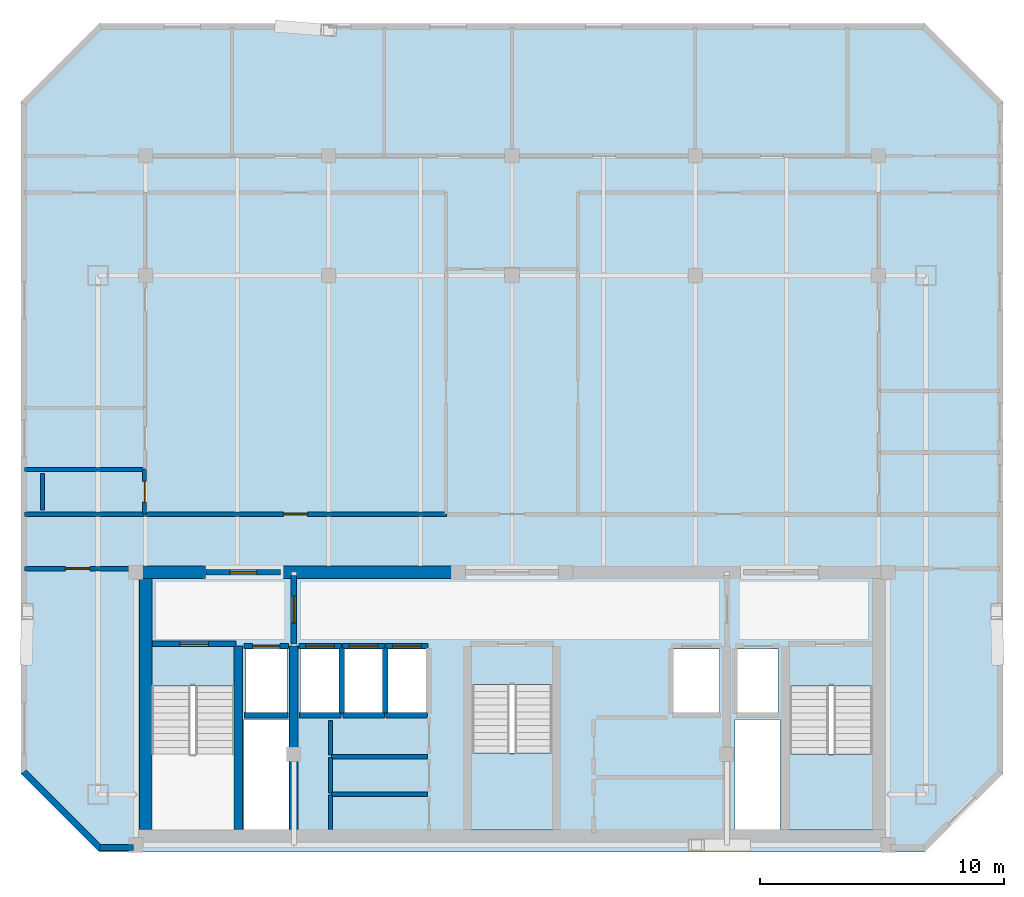
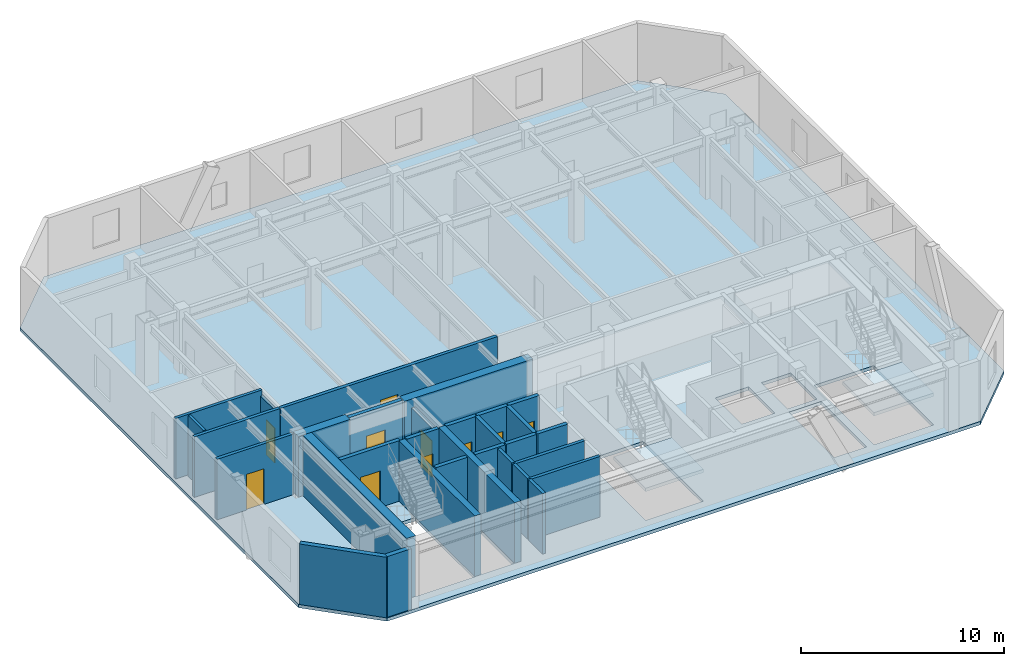
# One storey, part 2 of 6: 31 walls, 10 doors, 3 slabs, 10 openings, 2 elements without a shape of their own.
"""IFC4 building model written with IfcOpenShell, lengths in metres."""

from ifc_helpers import new_model, si_unit, direction, frame, frame_2d, origin, place, context, subcontext, project, spatial, polyline, rectangle, outline, extrude, material, layer, layer_set, type_object, element, fill, aggregate, save


model = new_model("IFC4")

# Units and contexts
model_context = context("Model", 3, precision=1e-05, world=origin(), true_north=direction((0.0, 1.0)))
body_context = subcontext(model_context, "Body", "Model", "MODEL_VIEW")
ifc_project = project(units=[si_unit("LENGTHUNIT", "METRE"), si_unit("AREAUNIT", "SQUARE_METRE"), si_unit("VOLUMEUNIT", "CUBIC_METRE"), si_unit("PLANEANGLEUNIT", "RADIAN"), si_unit("MASSUNIT", "GRAM", prefix="KILO")], contexts=[model_context])

# Site, building, storey
site_placement = place(None, origin())
site = spatial("IfcSite", under=ifc_project, at=site_placement, CompositionType="ELEMENT")
building_placement = place(site_placement, origin())
building = spatial("IfcBuilding", under=site, at=building_placement, Name="Ventersveld Concourse Tower", CompositionType="ELEMENT")
storey_placement = place(building_placement, frame((0.0, 0.0, 296.449951171875)))
storey = spatial("IfcBuildingStorey", under=building, at=storey_placement, Name="L73", CompositionType="ELEMENT", Elevation=296.449951171875)

# Slab
ifc_material_1 = material(Name="Concrete C50/60", Category="concrete")
ifc_layer_1 = layer(ifc_material_1, 0.199951171875)
ifc_layer_set_1 = layer_set([ifc_layer_1], Name="Concrete C50/60")
slab_type_1 = type_object("IfcSlabType", Name="SL-FLR-200", PredefinedType="FLOOR", material=ifc_layer_set_1)
slab_1_placement = place(storey_placement, frame((0.0, 0.0, -0.199951171875)))
element("IfcSlab", 1, at=slab_1_placement, inside=storey, type_object=slab_type_1, Name="L73 Composite Floor Slab", PredefinedType="FLOOR", context=body_context, shape_type="SweptSolid", body=[
    extrude(outline(polyline([(11.83740234375, 0.0), (45.66259765625, 0.0), (48.862548828125, 3.199951171875), (48.862548828125, 30.7099609375), (45.66259765625, 33.909912109375), (11.83740234375, 33.909912109375), (8.637451171875, 30.7099609375), (8.637451171875, 3.199951171875), (11.83740234375, 0.0)]), holes=[polyline([(13.97998046875, 6.794921875), (13.97998046875, 0.89990234375), (17.3798828125, 0.89990234375), (17.3798828125, 6.794921875), (13.97998046875, 6.794921875)]), polyline([(40.1201171875, 6.794921875), (40.1201171875, 0.89990234375), (43.52001953125, 0.89990234375), (43.52001953125, 6.794921875), (40.1201171875, 6.794921875)]), polyline([(27.10009765625, 6.844970703125), (27.10009765625, 0.89990234375), (30.39990234375, 0.89990234375), (30.39990234375, 6.844970703125), (27.10009765625, 6.844970703125)]), polyline([(17.85009765625, 5.699951171875), (19.530029296875, 5.699951171875), (19.530029296875, 8.300048828125), (17.85009765625, 8.300048828125), (17.85009765625, 5.699951171875)]), polyline([(37.969970703125, 5.699951171875), (39.64990234375, 5.699951171875), (39.64990234375, 8.300048828125), (37.969970703125, 8.300048828125), (37.969970703125, 5.699951171875)]), polyline([(35.35009765625, 5.699951171875), (37.25, 5.699951171875), (37.25, 8.300048828125), (35.35009765625, 8.300048828125), (35.35009765625, 5.699951171875)]), polyline([(20.090087890625, 5.699951171875), (21.68994140625, 5.699951171875), (21.68994140625, 8.300048828125), (20.090087890625, 8.300048828125), (20.090087890625, 5.699951171875)]), polyline([(21.8701171875, 5.699951171875), (23.469970703125, 5.699951171875), (23.469970703125, 8.300048828125), (21.8701171875, 8.300048828125), (21.8701171875, 5.699951171875)]), polyline([(23.64990234375, 5.699951171875), (25.25, 5.699951171875), (25.25, 8.300048828125), (23.64990234375, 8.300048828125), (23.64990234375, 5.699951171875)]), polyline([(17.780029296875, 0.919921875), (19.6201171875, 0.919921875), (19.6201171875, 5.419921875), (17.780029296875, 5.419921875), (17.780029296875, 0.919921875)]), polyline([(37.8798828125, 0.919921875), (39.719970703125, 0.919921875), (39.719970703125, 5.419921875), (37.8798828125, 5.419921875), (37.8798828125, 0.919921875)])]), origin(), (0.0, 0.0, 1.0), 0.199951171875),
])

# Stair, slab
stair_type_1 = type_object("IfcStairType", Name="ST-DOG-160", PredefinedType="HALF_TURN_STAIR", material=ifc_material_1)
stair_1_placement = place(storey_placement, origin())
stair_1 = element("IfcStair", 2, at=stair_1_placement, inside=storey, type_object=stair_type_1, Name="L73 Protected Tower Escape Stair ST-02", PredefinedType="HALF_TURN_STAIR")
ifc_layer_2 = layer(ifc_material_1, 0.199951171875)
ifc_layer_set_2 = layer_set([ifc_layer_2], Name="Concrete C50/60")
slab_type_2 = type_object("IfcSlabType", Name="SL-LND-200", PredefinedType="LANDING", material=ifc_layer_set_2)
slab_2_placement = place(storey_placement, frame((0.0, 0.0, 1.72509765625)))
slab_2 = element("IfcSlab", 3, at=slab_2_placement, type_object=slab_type_2, Name="ST-02 landing 1", PredefinedType="LANDING", context=body_context, shape_type="SweptSolid", body=[
    extrude(outline(polyline([(40.1201171875, 4.0), (40.1201171875, 0.89990234375), (43.52001953125, 0.89990234375), (43.52001953125, 4.0), (40.1201171875, 4.0)])), origin(), (0.0, 0.0, 1.0), 0.199951171875),
])
aggregate(stair_1, [slab_2])

stair_type_2 = type_object("IfcStairType", Name="ST-DOG-155", PredefinedType="HALF_TURN_STAIR", material=ifc_material_1)
stair_2_placement = place(storey_placement, origin())
stair_2 = element("IfcStair", 4, at=stair_2_placement, inside=storey, type_object=stair_type_2, Name="L73 Protected Central Core Escape Stair ST-03", PredefinedType="HALF_TURN_STAIR")
slab_3_placement = place(storey_placement, frame((0.0, 0.0, 1.72509765625)))
slab_3 = element("IfcSlab", 5, at=slab_3_placement, type_object=slab_type_2, Name="ST-03 landing 1", PredefinedType="LANDING", context=body_context, shape_type="SweptSolid", body=[
    extrude(outline(polyline([(27.10009765625, 4.050048828125), (27.10009765625, 0.89990234375), (30.39990234375, 0.89990234375), (30.39990234375, 4.050048828125), (27.10009765625, 4.050048828125)])), origin(), (0.0, 0.0, 1.0), 0.199951171875),
])
aggregate(stair_2, [slab_3])

# Walls
ifc_layer_3 = layer(ifc_material_1, 0.35009765625)
ifc_layer_set_3 = layer_set([ifc_layer_3], Name="Concrete C50/60")
wall_type_1 = type_object("IfcWallType", Name="WL-CORE-350U", PredefinedType="SHEAR", material=ifc_layer_set_3)
for number, where, z_axis, x_axis, name in (
    (6, (17.5400390625, 0.919921875, 0.0), (0.0, 0.0, 1.0), (0.0, 1.0, 0.0), "L73 Core Internal Shear Web W-ST1-E"),
    (7, (19.820068359375, 0.919921875, 0.0), (0.0, 0.0, 1.0), (0.0, 1.0, 0.0), "L73 Core Internal Shear Web W-FF1-E"),
):
    element("IfcWall", number, at=place(storey_placement, frame(where, z_axis=z_axis, x_axis=x_axis)), inside=storey, type_object=wall_type_1, Name=name, PredefinedType="SHEAR", context=body_context, shape_type="SweptSolid", body=[
        extrude(rectangle(XDim=7.5, YDim=0.35009765625, at=frame_2d((3.75, 0.0))), origin(), (0.0, 0.0, 1.0), 3.650146484375),
    ])
ifc_layer_4 = layer(ifc_material_1, 0.5)
ifc_layer_set_4 = layer_set([ifc_layer_4], Name="Concrete C50/60")
wall_type_2 = type_object("IfcWallType", Name="WL-CORE-500", PredefinedType="SHEAR", material=ifc_layer_set_4)
wall_1_placement = place(storey_placement, frame((13.75, 0.919921875, 0.0), z_axis=(0.0, 0.0, 1.0), x_axis=(0.0, 1.0, 0.0)))
element("IfcWall", 8, at=wall_1_placement, inside=storey, type_object=wall_type_2, Name="L73 Rear Core West Shear Wall", PredefinedType="SHEAR", context=body_context, shape_type="SweptSolid", body=[
    extrude(rectangle(XDim=10.530029296875, YDim=0.5, at=frame_2d((5.26513671875, 0.0))), origin(), (0.0, 0.0, 1.0), 3.650146484375),
])
wall_2_placement = place(storey_placement, frame((13.25, 11.449951171875, 0.0), z_axis=(0.0, 0.0, 1.0), x_axis=(1.0, 0.0, 0.0)))
element("IfcWall", 9, at=wall_2_placement, inside=storey, type_object=wall_type_2, Name="L73 Rear Core North Shear Wall NW", PredefinedType="SHEAR", context=body_context, shape_type="SweptSolid", body=[
    extrude(rectangle(XDim=2.949951171875, YDim=0.5, at=frame_2d((1.47509765625, 0.0))), origin(), (0.0, 0.0, 1.0), 3.650146484375),
])
wall_3_placement = place(storey_placement, frame((19.300048828125, 11.449951171875, 0.0), z_axis=(0.0, 0.0, 1.0), x_axis=(1.0, 0.0, 0.0)))
element("IfcWall", 10, at=wall_3_placement, inside=storey, type_object=wall_type_2, Name="L73 Rear Core North Shear Wall NML", PredefinedType="SHEAR", context=body_context, shape_type="SweptSolid", body=[
    extrude(rectangle(XDim=7.300048828125, YDim=0.5, at=frame_2d((3.64990234375, 0.0))), origin(), (0.0, 0.0, 1.0), 3.650146484375),
])
ifc_material_2 = material(Name="Fire-rated autoclaved aerated masonry blockwork", Category="masonry")
ifc_layer_5 = layer(ifc_material_2, 0.179931640625)
ifc_layer_set_5 = layer_set([ifc_layer_5], Name="Fire-rated autoclaved aerated masonry blockwork")
wall_type_3 = type_object("IfcWallType", Name="WL-CORR-180", PredefinedType="PARTITIONING", material=ifc_layer_set_5)
wall_4_placement = place(storey_placement, frame((21.360107421875, 2.360107421875, 0.0), z_axis=(0.0, 0.0, 1.0), x_axis=(1.0, 0.0, 0.0)))
element("IfcWall", 11, at=wall_4_placement, inside=storey, type_object=wall_type_3, Name="L73 Core Top Wall SP-L73-RECB1S", PredefinedType="PARTITIONING", context=body_context, shape_type="SweptSolid", body=[
    extrude(rectangle(XDim=3.93994140625, YDim=0.179931640625, at=frame_2d((1.969970703125, 0.0))), origin(), (0.0, 0.0, 1.0), 3.650146484375),
])
wall_5_placement = place(storey_placement, frame((21.320068359375, 0.909912109375, 0.0), z_axis=(0.0, 0.0, 1.0), x_axis=(0.0, 1.0, 0.0)))
element("IfcWall", 12, at=wall_5_placement, inside=storey, type_object=wall_type_3, Name="L73 Core West Wall SP-L73-RECB1S", PredefinedType="PARTITIONING", context=body_context, shape_type="SweptSolid", body=[
    extrude(rectangle(XDim=1.41015625, YDim=0.179931640625, at=frame_2d((0.705078125, 0.0))), origin(), (0.0, 0.0, 1.0), 3.650146484375),
])
wall_6_placement = place(storey_placement, frame((21.360107421875, 3.89990234375, 0.0), z_axis=(0.0, 0.0, 1.0), x_axis=(1.0, 0.0, 0.0)))
element("IfcWall", 13, at=wall_6_placement, inside=storey, type_object=wall_type_3, Name="L73 Core Top Wall SP-L73-RECB1M", PredefinedType="PARTITIONING", context=body_context, shape_type="SweptSolid", body=[
    extrude(rectangle(XDim=3.93994140625, YDim=0.179931640625, at=frame_2d((1.969970703125, 0.0))), origin(), (0.0, 0.0, 1.0), 3.650146484375),
])
wall_7_placement = place(storey_placement, frame((21.320068359375, 2.419921875, 0.0), z_axis=(0.0, 0.0, 1.0), x_axis=(0.0, 1.0, 0.0)))
element("IfcWall", 14, at=wall_7_placement, inside=storey, type_object=wall_type_3, Name="L73 Core West Wall SP-L73-RECB1M", PredefinedType="PARTITIONING", context=body_context, shape_type="SweptSolid", body=[
    extrude(rectangle(XDim=1.440185546875, YDim=0.179931640625, at=frame_2d((0.72021484375, 0.0))), origin(), (0.0, 0.0, 1.0), 3.650146484375),
])
wall_8_placement = place(storey_placement, frame((21.320068359375, 3.9599609375, 0.0), z_axis=(0.0, 0.0, 1.0), x_axis=(0.0, 1.0, 0.0)))
element("IfcWall", 15, at=wall_8_placement, inside=storey, type_object=wall_type_3, Name="L73 Core West Wall SP-L73-RECB1N", PredefinedType="PARTITIONING", context=body_context, shape_type="SweptSolid", body=[
    extrude(rectangle(XDim=1.419921875, YDim=0.179931640625, at=frame_2d((0.7099609375, 0.0))), origin(), (0.0, 0.0, 1.0), 3.650146484375),
])

# Wall, opening, door
wall_9_placement = place(storey_placement, frame((8.787109375, 11.60009765625, 0.0), z_axis=(0.0, 0.0, 1.0), x_axis=(1.0, 0.0, 0.0)))
wall_9 = element("IfcWall", 16, at=wall_9_placement, inside=storey, type_object=wall_type_3, Name="L73 Interior Partition SP-L73-SW-GAL-SP-L73-COR", PredefinedType="PARTITIONING", context=body_context, shape_type="SweptSolid", body=[
    extrude(rectangle(XDim=4.35791015625, YDim=0.179931640625, at=frame_2d((2.178955078125, 0.0))), origin(), (0.0, 0.0, 1.0), 3.650146484375),
])
opening_1_placement = place(wall_9_placement, frame((1.678955078125, 0.0, 0.0)))
opening_1 = element("IfcOpeningElement", 17, at=opening_1_placement, cuts=wall_9, Name="Opening FD3", PredefinedType="OPENING", context=body_context, shape_type="SweptSolid", body=[
    extrude(rectangle(XDim=1.0, YDim=2.14990234375, at=frame_2d((0.5, 1.074951171875))), frame((0.0, 0.10009765625, 0.0), z_axis=(0.0, -1.0, 0.0), x_axis=(1.0, 0.0, 0.0)), (0.0, 0.0, 1.0), 0.199951171875),
])
ifc_material_3 = material(Name="Solid-core hardwood veneer timber", Category="wood")
door_type_1 = type_object("IfcDoorType", Name="DR-FLAT-100", OperationType="NOTDEFINED", PredefinedType="DOOR", material=ifc_material_3)
door_1_placement = place(opening_1_placement, origin())
door_1 = element("IfcDoor", 18, at=door_1_placement, inside=storey, type_object=door_type_1, Name="L73 Interior Door SP-L73-SW-GAL to SP-L73-COR (D-L73-3380)", OperationType="SINGLE_SWING_RIGHT", OverallHeight=2.14990234375, OverallWidth=1.0, PredefinedType="DOOR", context=body_context, shape_type="SweptSolid", body=[
    extrude(rectangle(XDim=1.0, YDim=2.14990234375, at=frame_2d((0.5, 1.074951171875))), frame((0.0, 0.02490234375, 0.0), z_axis=(0.0, -1.0, 0.0), x_axis=(1.0, 0.0, 0.0)), (0.0, 0.0, 1.0), 0.050048828125),
])
fill(opening_1, door_1)

wall_10_placement = place(storey_placement, frame((13.702392578125, 13.830078125, 0.0), z_axis=(0.0, 0.0, 1.0), x_axis=(1.0, 0.0, 0.0)))
wall_10 = element("IfcWall", 19, at=wall_10_placement, inside=storey, type_object=wall_type_3, Name="L73 Interior Partition SP-L73-COR-SP-L73-73N1-WGAL1", PredefinedType="PARTITIONING", context=body_context, shape_type="SweptSolid", body=[
    extrude(rectangle(XDim=12.362548828125, YDim=0.179931640625, at=frame_2d((6.18115234375, 0.0))), origin(), (0.0, 0.0, 1.0), 3.650146484375),
])
opening_2_placement = place(wall_10_placement, frame((5.681396484375, 0.0, 0.0)))
opening_2 = element("IfcOpeningElement", 20, at=opening_2_placement, cuts=wall_10, Name="Opening FD3", PredefinedType="OPENING", context=body_context, shape_type="SweptSolid", body=[
    extrude(rectangle(XDim=1.0, YDim=2.14990234375, at=frame_2d((0.5, 1.074951171875))), frame((0.0, 0.10009765625, 0.0), z_axis=(0.0, -1.0, 0.0), x_axis=(1.0, 0.0, 0.0)), (0.0, 0.0, 1.0), 0.199951171875),
])
door_2_placement = place(opening_2_placement, origin())
door_2 = element("IfcDoor", 21, at=door_2_placement, inside=storey, type_object=door_type_1, Name="L73 Interior Door SP-L73-COR to SP-L73-73N1-WGAL1 (FD-L73-3382)", OperationType="SINGLE_SWING_RIGHT", OverallHeight=2.14990234375, OverallWidth=1.0, PredefinedType="DOOR", context=body_context, shape_type="SweptSolid", body=[
    extrude(rectangle(XDim=1.0, YDim=2.14990234375, at=frame_2d((0.5, 1.074951171875))), frame((0.0, 0.02490234375, 0.0), z_axis=(0.0, -1.0, 0.0), x_axis=(1.0, 0.0, 0.0)), (0.0, 0.0, 1.0), 0.050048828125),
])
fill(opening_2, door_2)

# Walls
wall_11_placement = place(storey_placement, frame((8.787109375, 13.830078125, 0.0), z_axis=(0.0, 0.0, 1.0), x_axis=(1.0, 0.0, 0.0)))
element("IfcWall", 22, at=wall_11_placement, inside=storey, type_object=wall_type_3, Name="L73 Interior Partition SP-L73-COR-SP-L73-73N1-BATH", PredefinedType="PARTITIONING", context=body_context, shape_type="SweptSolid", body=[
    extrude(rectangle(XDim=4.885498046875, YDim=0.179931640625, at=frame_2d((2.44287109375, 0.0))), origin(), (0.0, 0.0, 1.0), 3.650146484375),
])
ifc_layer_6 = layer(ifc_material_2, 0.219970703125)
ifc_layer_set_6 = layer_set([ifc_layer_6], Name="Fire-rated autoclaved aerated masonry blockwork")
wall_type_4 = type_object("IfcWallType", Name="WL-HOIST-220", PredefinedType="SOLIDWALL", material=ifc_layer_set_6)
wall_12_placement = place(storey_placement, frame((17.800048828125, 5.590087890625, 0.0), z_axis=(0.0, 0.0, 1.0), x_axis=(1.0, 0.0, 0.0)))
element("IfcWall", 23, at=wall_12_placement, inside=storey, type_object=wall_type_4, Name="L73 Lift Hoistway Back Wall FFL-01", PredefinedType="SOLIDWALL", context=body_context, shape_type="SweptSolid", body=[
    extrude(rectangle(XDim=1.780029296875, YDim=0.219970703125, at=frame_2d((0.89013671875, 0.0))), origin(), (0.0, 0.0, 1.0), 3.650146484375),
])

# Wall, opening, door
wall_13_placement = place(storey_placement, frame((17.780029296875, 8.429931640625, 0.0), z_axis=(0.0, 0.0, 1.0), x_axis=(1.0, 0.0, 0.0)))
wall_13 = element("IfcWall", 24, at=wall_13_placement, inside=storey, type_object=wall_type_4, Name="L73 Lift Hoistway Front Wall FFL-01", PredefinedType="SOLIDWALL", context=body_context, shape_type="SweptSolid", body=[
    extrude(rectangle(XDim=1.820068359375, YDim=0.219970703125, at=frame_2d((0.91015625, 0.0))), origin(), (0.0, 0.0, 1.0), 3.650146484375),
])
opening_3_placement = place(wall_13_placement, frame((0.35009765625, 0.0, 0.0)))
opening_3 = element("IfcOpeningElement", 25, at=opening_3_placement, cuts=wall_13, Name="Opening LD1", PredefinedType="OPENING", context=body_context, shape_type="SweptSolid", body=[
    extrude(rectangle(XDim=1.1201171875, YDim=2.25, at=frame_2d((0.56005859375, 1.125))), frame((0.0, 0.1201171875, 0.0), z_axis=(0.0, -1.0, 0.0), x_axis=(1.0, 0.0, 0.0)), (0.0, 0.0, 1.0), 0.239990234375),
])
ifc_material_4 = material(Name="Brushed stainless steel 316", Category="steel")
door_type_2 = type_object("IfcDoorType", Name="LD-FF-112", OperationType="SLIDING_TO_LEFT", PredefinedType="DOOR", material=ifc_material_4)
door_3_placement = place(opening_3_placement, origin())
door_3 = element("IfcDoor", 26, at=door_3_placement, inside=storey, type_object=door_type_2, Name="L73 Lift landing door FFL-01 (LD-L73-FFL-01)", OperationType="SLIDING_TO_RIGHT", OverallHeight=2.25, OverallWidth=1.1201171875, PredefinedType="DOOR", context=body_context, shape_type="SweptSolid", body=[
    extrude(rectangle(XDim=1.1201171875, YDim=2.25, at=frame_2d((0.56005859375, 1.125))), frame((0.0, 0.02490234375, 0.0), z_axis=(0.0, -1.0, 0.0), x_axis=(1.0, 0.0, 0.0)), (0.0, 0.0, 1.0), 0.050048828125),
])
fill(opening_3, door_3)

# Walls
wall_14_placement = place(storey_placement, frame((20.0400390625, 5.590087890625, 0.0), z_axis=(0.0, 0.0, 1.0), x_axis=(1.0, 0.0, 0.0)))
element("IfcWall", 27, at=wall_14_placement, inside=storey, type_object=wall_type_4, Name="L73 Lift Hoistway Back Wall PH-01", PredefinedType="SOLIDWALL", context=body_context, shape_type="SweptSolid", body=[
    extrude(rectangle(XDim=1.699951171875, YDim=0.219970703125, at=frame_2d((0.85009765625, 0.0))), origin(), (0.0, 0.0, 1.0), 3.650146484375),
])
wall_15_placement = place(storey_placement, frame((21.780029296875, 5.64990234375, 0.0), z_axis=(0.0, 0.0, 1.0), x_axis=(0.0, 1.0, 0.0)))
element("IfcWall", 28, at=wall_15_placement, inside=storey, type_object=wall_type_4, Name="L73 Lift Hoistway Side Wall PH-01E", PredefinedType="SOLIDWALL", context=body_context, shape_type="SweptSolid", body=[
    extrude(rectangle(XDim=2.7001953125, YDim=0.219970703125, at=frame_2d((1.35009765625, 0.0))), origin(), (0.0, 0.0, 1.0), 3.650146484375),
])

# Wall, opening, door
wall_16_placement = place(storey_placement, frame((20.02001953125, 8.429931640625, 0.0), z_axis=(0.0, 0.0, 1.0), x_axis=(1.0, 0.0, 0.0)))
wall_16 = element("IfcWall", 29, at=wall_16_placement, inside=storey, type_object=wall_type_4, Name="L73 Lift Hoistway Front Wall PH-01", PredefinedType="SOLIDWALL", context=body_context, shape_type="SweptSolid", body=[
    extrude(rectangle(XDim=1.739990234375, YDim=0.219970703125, at=frame_2d((0.8701171875, 0.0))), origin(), (0.0, 0.0, 1.0), 3.650146484375),
])
opening_4_placement = place(wall_16_placement, frame((0.280029296875, 0.0, 0.0)))
opening_4 = element("IfcOpeningElement", 30, at=opening_4_placement, cuts=wall_16, Name="Opening LD2", PredefinedType="OPENING", context=body_context, shape_type="SweptSolid", body=[
    extrude(rectangle(XDim=1.179931640625, YDim=2.199951171875, at=frame_2d((0.58984375, 1.10009765625))), frame((0.0, 0.1201171875, 0.0), z_axis=(0.0, -1.0, 0.0), x_axis=(1.0, 0.0, 0.0)), (0.0, 0.0, 1.0), 0.239990234375),
])
door_type_3 = type_object("IfcDoorType", Name="LD-PAX-118", OperationType="SLIDING_TO_LEFT", PredefinedType="DOOR", material=ifc_material_4)
door_4_placement = place(opening_4_placement, origin())
door_4 = element("IfcDoor", 31, at=door_4_placement, inside=storey, type_object=door_type_3, Name="L73 Lift landing door PH-01 (LD-L73-PH-01)", OperationType="SLIDING_TO_LEFT", OverallHeight=2.199951171875, OverallWidth=1.179931640625, PredefinedType="DOOR", context=body_context, shape_type="SweptSolid", body=[
    extrude(rectangle(XDim=1.179931640625, YDim=2.199951171875, at=frame_2d((0.58984375, 1.10009765625))), frame((0.0, 0.02490234375, 0.0), z_axis=(0.0, -1.0, 0.0), x_axis=(1.0, 0.0, 0.0)), (0.0, 0.0, 1.0), 0.050048828125),
])
fill(opening_4, door_4)

# Walls
wall_17_placement = place(storey_placement, frame((21.820068359375, 5.590087890625, 0.0), z_axis=(0.0, 0.0, 1.0), x_axis=(1.0, 0.0, 0.0)))
element("IfcWall", 32, at=wall_17_placement, inside=storey, type_object=wall_type_4, Name="L73 Lift Hoistway Back Wall PH-02", PredefinedType="SOLIDWALL", context=body_context, shape_type="SweptSolid", body=[
    extrude(rectangle(XDim=1.699951171875, YDim=0.219970703125, at=frame_2d((0.85009765625, 0.0))), origin(), (0.0, 0.0, 1.0), 3.650146484375),
])
wall_18_placement = place(storey_placement, frame((23.56005859375, 5.64990234375, 0.0), z_axis=(0.0, 0.0, 1.0), x_axis=(0.0, 1.0, 0.0)))
element("IfcWall", 33, at=wall_18_placement, inside=storey, type_object=wall_type_4, Name="L73 Lift Hoistway Side Wall PH-02E", PredefinedType="SOLIDWALL", context=body_context, shape_type="SweptSolid", body=[
    extrude(rectangle(XDim=2.7001953125, YDim=0.219970703125, at=frame_2d((1.35009765625, 0.0))), origin(), (0.0, 0.0, 1.0), 3.650146484375),
])

# Wall, opening, door
wall_19_placement = place(storey_placement, frame((21.800048828125, 8.429931640625, 0.0), z_axis=(0.0, 0.0, 1.0), x_axis=(1.0, 0.0, 0.0)))
wall_19 = element("IfcWall", 34, at=wall_19_placement, inside=storey, type_object=wall_type_4, Name="L73 Lift Hoistway Front Wall PH-02", PredefinedType="SOLIDWALL", context=body_context, shape_type="SweptSolid", body=[
    extrude(rectangle(XDim=1.739990234375, YDim=0.219970703125, at=frame_2d((0.8701171875, 0.0))), origin(), (0.0, 0.0, 1.0), 3.650146484375),
])
opening_5_placement = place(wall_19_placement, frame((0.280029296875, 0.0, 0.0)))
opening_5 = element("IfcOpeningElement", 35, at=opening_5_placement, cuts=wall_19, Name="Opening LD2", PredefinedType="OPENING", context=body_context, shape_type="SweptSolid", body=[
    extrude(rectangle(XDim=1.179931640625, YDim=2.199951171875, at=frame_2d((0.58984375, 1.10009765625))), frame((0.0, 0.1201171875, 0.0), z_axis=(0.0, -1.0, 0.0), x_axis=(1.0, 0.0, 0.0)), (0.0, 0.0, 1.0), 0.239990234375),
])
door_5_placement = place(opening_5_placement, origin())
door_5 = element("IfcDoor", 36, at=door_5_placement, inside=storey, type_object=door_type_3, Name="L73 Lift landing door PH-02 (LD-L73-PH-02)", OperationType="SLIDING_TO_RIGHT", OverallHeight=2.199951171875, OverallWidth=1.179931640625, PredefinedType="DOOR", context=body_context, shape_type="SweptSolid", body=[
    extrude(rectangle(XDim=1.179931640625, YDim=2.199951171875, at=frame_2d((0.58984375, 1.10009765625))), frame((0.0, 0.02490234375, 0.0), z_axis=(0.0, -1.0, 0.0), x_axis=(1.0, 0.0, 0.0)), (0.0, 0.0, 1.0), 0.050048828125),
])
fill(opening_5, door_5)

# Wall
wall_20_placement = place(storey_placement, frame((23.60009765625, 5.590087890625, 0.0), z_axis=(0.0, 0.0, 1.0), x_axis=(1.0, 0.0, 0.0)))
element("IfcWall", 37, at=wall_20_placement, inside=storey, type_object=wall_type_4, Name="L73 Lift Hoistway Back Wall PH-03", PredefinedType="SOLIDWALL", context=body_context, shape_type="SweptSolid", body=[
    extrude(rectangle(XDim=1.699951171875, YDim=0.219970703125, at=frame_2d((0.85009765625, 0.0))), origin(), (0.0, 0.0, 1.0), 3.650146484375),
])

# Wall, opening, door
wall_21_placement = place(storey_placement, frame((23.580078125, 8.429931640625, 0.0), z_axis=(0.0, 0.0, 1.0), x_axis=(1.0, 0.0, 0.0)))
wall_21 = element("IfcWall", 38, at=wall_21_placement, inside=storey, type_object=wall_type_4, Name="L73 Lift Hoistway Front Wall PH-03", PredefinedType="SOLIDWALL", context=body_context, shape_type="SweptSolid", body=[
    extrude(rectangle(XDim=1.739990234375, YDim=0.219970703125, at=frame_2d((0.8701171875, 0.0))), origin(), (0.0, 0.0, 1.0), 3.650146484375),
])
opening_6_placement = place(wall_21_placement, frame((0.280029296875, 0.0, 0.0)))
opening_6 = element("IfcOpeningElement", 39, at=opening_6_placement, cuts=wall_21, Name="Opening LD2", PredefinedType="OPENING", context=body_context, shape_type="SweptSolid", body=[
    extrude(rectangle(XDim=1.179931640625, YDim=2.199951171875, at=frame_2d((0.58984375, 1.10009765625))), frame((0.0, 0.1201171875, 0.0), z_axis=(0.0, -1.0, 0.0), x_axis=(1.0, 0.0, 0.0)), (0.0, 0.0, 1.0), 0.239990234375),
])
door_6_placement = place(opening_6_placement, origin())
door_6 = element("IfcDoor", 40, at=door_6_placement, inside=storey, type_object=door_type_3, Name="L73 Lift landing door PH-03 (LD-L73-PH-03)", OperationType="SLIDING_TO_LEFT", OverallHeight=2.199951171875, OverallWidth=1.179931640625, PredefinedType="DOOR", context=body_context, shape_type="SweptSolid", body=[
    extrude(rectangle(XDim=1.179931640625, YDim=2.199951171875, at=frame_2d((0.58984375, 1.10009765625))), frame((0.0, 0.02490234375, 0.0), z_axis=(0.0, -1.0, 0.0), x_axis=(1.0, 0.0, 0.0)), (0.0, 0.0, 1.0), 0.050048828125),
])
fill(opening_6, door_6)

wall_22_placement = place(storey_placement, frame((14.0400390625, 8.52001953125, 0.0), z_axis=(0.0, 0.0, 1.0), x_axis=(1.0, 0.0, 0.0)))
wall_22 = element("IfcWall", 41, at=wall_22_placement, inside=storey, type_object=wall_type_4, Name="L73 Escape Stair ST01 Fire Wall", PredefinedType="SOLIDWALL", context=body_context, shape_type="SweptSolid", body=[
    extrude(rectangle(XDim=3.39990234375, YDim=0.219970703125, at=frame_2d((1.699951171875, 0.0))), origin(), (0.0, 0.0, 1.0), 3.650146484375),
])
opening_7_placement = place(wall_22_placement, frame((1.125, 0.0, 0.0)))
opening_7 = element("IfcOpeningElement", 42, at=opening_7_placement, cuts=wall_22, Name="Opening FD1", PredefinedType="OPENING", context=body_context, shape_type="SweptSolid", body=[
    extrude(rectangle(XDim=1.14990234375, YDim=2.199951171875, at=frame_2d((0.574951171875, 1.10009765625))), frame((0.0, 0.1201171875, 0.0), z_axis=(0.0, -1.0, 0.0), x_axis=(1.0, 0.0, 0.0)), (0.0, 0.0, 1.0), 0.239990234375),
])
ifc_material_5 = material(Name="Galvanised painted steel", Category="steel")
door_type_4 = type_object("IfcDoorType", Name="DR-STAIR-115", OperationType="NOTDEFINED", PredefinedType="DOOR", material=ifc_material_5)
door_7_placement = place(opening_7_placement, origin())
door_7 = element("IfcDoor", 43, at=door_7_placement, inside=storey, type_object=door_type_4, Name="L73 Escape Stair Door ST01 (SD-L73-3367)", OperationType="SINGLE_SWING_LEFT", OverallHeight=2.199951171875, OverallWidth=1.14990234375, PredefinedType="DOOR", context=body_context, shape_type="SweptSolid", body=[
    extrude(rectangle(XDim=1.14990234375, YDim=2.199951171875, at=frame_2d((0.574951171875, 1.10009765625))), frame((0.0, 0.02490234375, 0.0), z_axis=(0.0, -1.0, 0.0), x_axis=(1.0, 0.0, 0.0)), (0.0, 0.0, 1.0), 0.050048828125),
])
fill(opening_7, door_7)

wall_23_placement = place(storey_placement, frame((19.820068359375, 8.52001953125, 0.0), z_axis=(0.0, 0.0, 1.0), x_axis=(0.0, 1.0, 0.0)))
wall_23 = element("IfcWall", 44, at=wall_23_placement, inside=storey, type_object=wall_type_4, Name="L73 Firefighting Lobby Smoke-Stop Wall FFLW-SEP", PredefinedType="SOLIDWALL", context=body_context, shape_type="SweptSolid", body=[
    extrude(rectangle(XDim=2.800048828125, YDim=0.219970703125, at=frame_2d((1.39990234375, 0.0))), origin(), (0.0, 0.0, 1.0), 3.10546875),
])
opening_8_placement = place(wall_23_placement, frame((0.85009765625, 0.0, 0.0)))
opening_8 = element("IfcOpeningElement", 45, at=opening_8_placement, cuts=wall_23, Name="Opening FD2", PredefinedType="OPENING", context=body_context, shape_type="SweptSolid", body=[
    extrude(rectangle(XDim=1.10009765625, YDim=2.199951171875, at=frame_2d((0.550048828125, 1.10009765625))), frame((0.0, 0.1201171875, 0.0), z_axis=(0.0, -1.0, 0.0), x_axis=(1.0, 0.0, 0.0)), (0.0, 0.0, 1.0), 0.239990234375),
])
door_type_5 = type_object("IfcDoorType", Name="DR-FFL-110", OperationType="NOTDEFINED", PredefinedType="DOOR", material=ifc_material_5)
door_8_placement = place(opening_8_placement, origin())
door_8 = element("IfcDoor", 46, at=door_8_placement, inside=storey, type_object=door_type_5, Name="L73 Firefighting Lobby Door FFLW-SEP (FD-L73-3370)", OperationType="SINGLE_SWING_LEFT", OverallHeight=2.199951171875, OverallWidth=1.10009765625, PredefinedType="DOOR", context=body_context, shape_type="SweptSolid", body=[
    extrude(rectangle(XDim=1.10009765625, YDim=2.199951171875, at=frame_2d((0.550048828125, 1.10009765625))), frame((0.0, 0.02490234375, 0.0), z_axis=(0.0, -1.0, 0.0), x_axis=(1.0, 0.0, 0.0)), (0.0, 0.0, 1.0), 0.050048828125),
])
fill(opening_8, door_8)

wall_24_placement = place(storey_placement, frame((16.22998046875, 11.449951171875, 0.0), z_axis=(0.0, 0.0, 1.0), x_axis=(1.0, 0.0, 0.0)))
wall_24 = element("IfcWall", 47, at=wall_24_placement, inside=storey, type_object=wall_type_4, Name="L73 Core North Fire Portal FFLW-OUT", PredefinedType="SOLIDWALL", context=body_context, shape_type="SweptSolid", body=[
    extrude(rectangle(XDim=3.0400390625, YDim=0.219970703125, at=frame_2d((1.52001953125, 0.0))), origin(), (0.0, 0.0, 1.0), 3.650146484375),
])
opening_9_placement = place(wall_24_placement, frame((0.969970703125, 0.0, 0.0)))
opening_9 = element("IfcOpeningElement", 48, at=opening_9_placement, cuts=wall_24, Name="Opening FD2", PredefinedType="OPENING", context=body_context, shape_type="SweptSolid", body=[
    extrude(rectangle(XDim=1.10009765625, YDim=2.199951171875, at=frame_2d((0.550048828125, 1.10009765625))), frame((0.0, 0.1201171875, 0.0), z_axis=(0.0, -1.0, 0.0), x_axis=(1.0, 0.0, 0.0)), (0.0, 0.0, 1.0), 0.239990234375),
])
door_9_placement = place(opening_9_placement, origin())
door_9 = element("IfcDoor", 49, at=door_9_placement, inside=storey, type_object=door_type_5, Name="L73 Core Lobby Fire Door FFLW-OUT (FD-L73-3372)", OperationType="SINGLE_SWING_RIGHT", OverallHeight=2.199951171875, OverallWidth=1.10009765625, PredefinedType="DOOR", context=body_context, shape_type="SweptSolid", body=[
    extrude(rectangle(XDim=1.10009765625, YDim=2.199951171875, at=frame_2d((0.550048828125, 1.10009765625))), frame((0.0, 0.02490234375, 0.0), z_axis=(0.0, -1.0, 0.0), x_axis=(1.0, 0.0, 0.0)), (0.0, 0.0, 1.0), 0.050048828125),
])
fill(opening_9, door_9)

# Walls
ifc_material_6 = material(Name="Precast concrete C45/55", Category="concrete")
ifc_layer_7 = layer(ifc_material_6, 0.260009765625)
ifc_layer_set_7 = layer_set([ifc_layer_7], Name="Precast concrete C45/55")
wall_type_5 = type_object("IfcWallType", Name="WL-PREC-260", PredefinedType="SOLIDWALL", material=ifc_layer_set_7)
wall_25_placement = place(storey_placement, frame((11.87744140625, 0.179931640625, 0.0), z_axis=(0.0, 0.0, 1.0), x_axis=(1.0, 0.0, 0.0)))
element("IfcWall", 50, at=wall_25_placement, inside=storey, type_object=wall_type_5, Name="L73 South-West Flank Precast Wall", PredefinedType="SOLIDWALL", context=body_context, shape_type="SweptSolid", body=[
    extrude(rectangle(XDim=1.37255859375, YDim=0.260009765625, at=frame_2d((0.686279296875, 0.0))), origin(), (0.0, 0.0, 1.0), 3.650146484375),
])
wall_26_placement = place(storey_placement, frame((8.7578125, 3.263671875, 0.0), z_axis=(0.0, 0.0, 1.0), x_axis=(0.707079321262, -0.707134240044, 0.0)))
element("IfcWall", 51, at=wall_26_placement, inside=storey, type_object=wall_type_5, Name="L73 Highveld Precast Facade Wall E08", PredefinedType="SOLIDWALL", context=body_context, shape_type="SweptSolid", body=[
    extrude(rectangle(XDim=4.445556640625, YDim=0.260009765625, at=frame_2d((2.22265625, 0.0))), origin(), (0.0, 0.0, 1.0), 3.650146484375),
])

# Wall, opening, door
ifc_material_7 = material(Name="Autoclaved aerated masonry blockwork", Category="masonry")
ifc_layer_8 = layer(ifc_material_7, 0.1650390625)
ifc_layer_set_8 = layer_set([ifc_layer_8], Name="Autoclaved aerated masonry blockwork")
wall_type_6 = type_object("IfcWallType", Name="WL-WET-165", PredefinedType="PLUMBINGWALL", material=ifc_layer_set_8)
wall_27_placement = place(storey_placement, frame((13.70751953125, 13.824951171875, 0.0), z_axis=(0.0, 0.0, 1.0), x_axis=(0.0, 1.0, 0.0)))
wall_27 = element("IfcWall", 52, at=wall_27_placement, inside=storey, type_object=wall_type_6, Name="L73 Interior Partition SP-L73-73N1-WGAL1-SP-L73-73N1-BATH", PredefinedType="PLUMBINGWALL", context=body_context, shape_type="SweptSolid", body=[
    extrude(rectangle(XDim=1.840087890625, YDim=0.1650390625, at=frame_2d((0.919921875, 0.0))), origin(), (0.0, 0.0, 1.0), 3.295166015625),
])
opening_10_placement = place(wall_27_placement, frame((0.4951171875, 0.0, 0.0)))
opening_10 = element("IfcOpeningElement", 53, at=opening_10_placement, cuts=wall_27, Name="Opening ID2", PredefinedType="OPENING", context=body_context, shape_type="SweptSolid", body=[
    extrude(rectangle(XDim=0.85009765625, YDim=2.10009765625, at=frame_2d((0.425048828125, 1.050048828125))), frame((0.0, 0.092529296875, 0.0), z_axis=(0.0, -1.0, 0.0), x_axis=(1.0, 0.0, 0.0)), (0.0, 0.0, 1.0), 0.18505859375),
])
door_type_6 = type_object("IfcDoorType", Name="DR-BATH-085", OperationType="NOTDEFINED", PredefinedType="DOOR", material=ifc_material_3)
door_10_placement = place(opening_10_placement, origin())
door_10 = element("IfcDoor", 54, at=door_10_placement, inside=storey, type_object=door_type_6, Name="L73 Interior Door SP-L73-73N1-WGAL1 to SP-L73-73N1-BATH (D-L73-3387)", OperationType="SINGLE_SWING_LEFT", OverallHeight=2.10009765625, OverallWidth=0.85009765625, PredefinedType="DOOR", context=body_context, shape_type="SweptSolid", body=[
    extrude(rectangle(XDim=0.85009765625, YDim=2.10009765625, at=frame_2d((0.425048828125, 1.050048828125))), frame((0.0, 0.02490234375, 0.0), z_axis=(0.0, -1.0, 0.0), x_axis=(1.0, 0.0, 0.0)), (0.0, 0.0, 1.0), 0.050048828125),
])
fill(opening_10, door_10)

# Walls
wall_28_placement = place(storey_placement, frame((8.787109375, 15.659912109375, 0.0), z_axis=(0.0, 0.0, 1.0), x_axis=(1.0, 0.0, 0.0)))
element("IfcWall", 55, at=wall_28_placement, inside=storey, type_object=wall_type_6, Name="L73 Interior Partition SP-L73-73N1-BATH-SP-L73-73N1-PANL2", PredefinedType="PLUMBINGWALL", context=body_context, shape_type="SweptSolid", body=[
    extrude(rectangle(XDim=4.92529296875, YDim=0.1650390625, at=frame_2d((2.462646484375, 0.0))), origin(), (0.0, 0.0, 1.0), 3.650146484375),
])
wall_29_placement = place(storey_placement, frame((9.517578125, 13.9951171875, 0.0), z_axis=(0.0, 0.0, 1.0), x_axis=(0.0, 1.0, 0.0)))
element("IfcWall", 56, at=wall_29_placement, inside=storey, type_object=wall_type_6, Name="L73 Room Enclosure Wall SP-L73-73N1-BATH", PredefinedType="PLUMBINGWALL", context=body_context, shape_type="SweptSolid", body=[
    extrude(rectangle(XDim=1.5, YDim=0.1650390625, at=frame_2d((0.75, 0.0))), origin(), (0.0, 0.0, 1.0), 3.650146484375),
])

save(model, "model.ifc")
